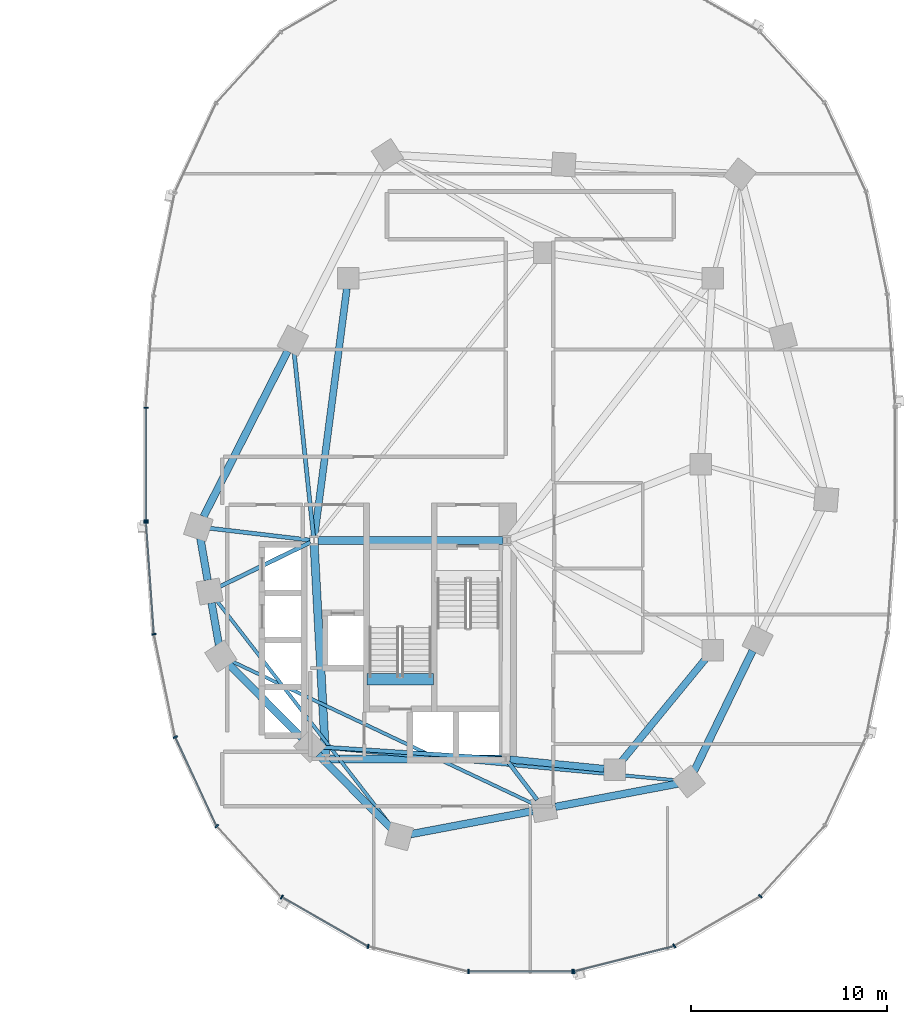
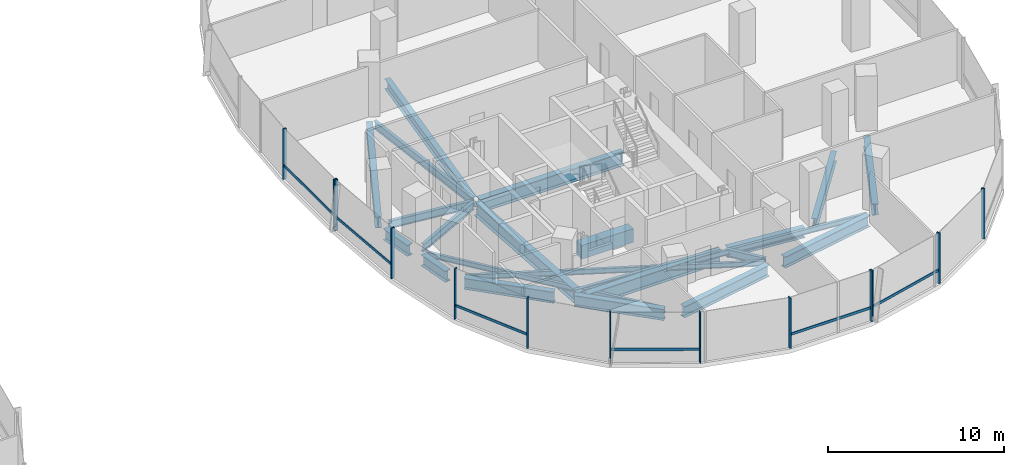
# One storey, part 5 of 21: 23 beams, 19 members, 3 elements without a shape of their own.
"""IFC4 building model written with IfcOpenShell, lengths in metres."""

from ifc_helpers import new_model, si_unit, direction, frame, origin, origin_2d, place, context, subcontext, project, spatial, rectangle, i_section, extrude, material, material_profile, profile_set, type_object, element, aggregate, save


model = new_model("IFC4")

# Units and contexts
model_context = context("Model", 3, precision=1e-05, world=origin(), true_north=direction((0.0, 1.0)))
body_context = subcontext(model_context, "Body", "Model", "MODEL_VIEW")
ifc_project = project(units=[si_unit("LENGTHUNIT", "METRE"), si_unit("AREAUNIT", "SQUARE_METRE"), si_unit("VOLUMEUNIT", "CUBIC_METRE"), si_unit("PLANEANGLEUNIT", "RADIAN"), si_unit("MASSUNIT", "GRAM", prefix="KILO"), si_unit("THERMODYNAMICTEMPERATUREUNIT", "KELVIN"), si_unit("POWERUNIT", "WATT")], contexts=[model_context])

# Site, building, storey
site_placement = place(None, origin())
site = spatial("IfcSite", under=ifc_project, at=site_placement, CompositionType="ELEMENT")
building_placement = place(site_placement, origin())
building = spatial("IfcBuilding", under=site, at=building_placement, Name="Cundina Bronze Exchange", CompositionType="ELEMENT")
storey_placement = place(building_placement, frame((0.0, 0.0, 62.0)))
storey = spatial("IfcBuildingStorey", under=building, at=storey_placement, Name="L15", CompositionType="ELEMENT", Elevation=62.0)

# Beams
ifc_material_1 = material(Name="Concrete C60/75", Category="concrete")
ifc_material_profile_1 = material_profile(ifc_material_1, rectangle(XDim=0.60009765625, YDim=0.949951171875, at=origin_2d()), Name="RC600X950", Category="concrete")
ifc_profile_set_1 = profile_set([ifc_material_profile_1], Name="Concrete C60/75")
beam_type_1 = type_object("IfcBeamType", Name="BM-COUP-RC950", PredefinedType="LINTEL", material=ifc_profile_set_1)
beam_1_placement = place(storey_placement, frame((24.159912109375, -10.97998046875, -0.47509765625), z_axis=(1.0, 0.0, 0.0), x_axis=(0.0, 1.0, 0.0)))
element("IfcBeam", 1, at=beam_1_placement, inside=storey, type_object=beam_type_1, Name="L15 Stair E2 Landing Header Beam", PredefinedType="LINTEL", context=body_context, shape_type="SweptSolid", body=[
    extrude(rectangle(XDim=0.60009765625, YDim=0.949951171875, at=origin_2d()), origin(), (0.0, 0.0, 1.0), 3.400146484375),
])
ifc_material_2 = material(Name="Steel ASTM A992 Grade 50", Category="steel")
ifc_material_profile_2 = material_profile(ifc_material_2, i_section(OverallWidth=0.2099609375, OverallDepth=0.532958984375, WebThickness=0.01025390625, FlangeThickness=0.015625, FilletRadius=0.013916015625, at=origin_2d()), Name="W21X62", Category="steel")
ifc_profile_set_2 = profile_set([ifc_material_profile_2], Name="Steel ASTM A992 Grade 50")
beam_type_2 = type_object("IfcBeamType", Name="BM-FLR-W21B", PredefinedType="BEAM", material=ifc_profile_set_2)
beam_2_placement = place(storey_placement, frame((21.247314453125, -3.8759765625, -0.56640625), z_axis=(-0.993035236117, 0.117817739878, 0.0), x_axis=(-0.117817739878, -0.993035236117, 0.0)))
element("IfcBeam", 2, at=beam_2_placement, inside=storey, type_object=beam_type_2, Name="L15 Leg E Chordal Floor Beam 00", PredefinedType="BEAM", context=body_context, shape_type="SweptSolid", body=[
    extrude(i_section(OverallWidth=0.2099609375, OverallDepth=0.532958984375, WebThickness=0.01025390625, FlangeThickness=0.015625, FilletRadius=0.013916015625, at=origin_2d()), origin(), (0.0, 0.0, 1.0), 5.1494140625),
])
beam_3_placement = place(storey_placement, frame((21.2666015625, -3.989501953125, -0.56640625), z_axis=(-0.898610249448, -0.438747785849, 0.0), x_axis=(0.438747785849, -0.898610249448, 0.0)))
element("IfcBeam", 3, at=beam_3_placement, inside=storey, type_object=beam_type_2, Name="L15 Leg E Chordal Floor Beam 01", PredefinedType="BEAM", context=body_context, shape_type="SweptSolid", body=[
    extrude(i_section(OverallWidth=0.2099609375, OverallDepth=0.532958984375, WebThickness=0.01025390625, FlangeThickness=0.015625, FilletRadius=0.013916015625, at=origin_2d()), origin(), (0.0, 0.0, 1.0), 5.1337890625),
])
beam_4_placement = place(storey_placement, frame((31.04638671875, -15.036865234375, -0.56640625), z_axis=(-0.99789233798, 0.064891307594, 0.0), x_axis=(-0.064891307594, -0.99789233798, 0.0)))
element("IfcBeam", 4, at=beam_4_placement, inside=storey, type_object=beam_type_2, Name="L15 Leg E Chordal Floor Beam 03", PredefinedType="BEAM", context=body_context, shape_type="SweptSolid", body=[
    extrude(i_section(OverallWidth=0.2099609375, OverallDepth=0.532958984375, WebThickness=0.01025390625, FlangeThickness=0.015625, FilletRadius=0.013916015625, at=origin_2d()), origin(), (0.0, 0.0, 1.0), 9.22900390625),
])
beam_5_placement = place(storey_placement, frame((31.373779296875, -15.2119140625, -0.56640625), z_axis=(0.607468844289, -0.794343504548, 0.0), x_axis=(0.794343504548, 0.607468844289, 0.0)))
element("IfcBeam", 5, at=beam_5_placement, inside=storey, type_object=beam_type_2, Name="L15 Leg E Chordal Floor Beam 05", PredefinedType="BEAM", context=body_context, shape_type="SweptSolid", body=[
    extrude(i_section(OverallWidth=0.2099609375, OverallDepth=0.532958984375, WebThickness=0.01025390625, FlangeThickness=0.015625, FilletRadius=0.013916015625, at=origin_2d()), origin(), (0.0, 0.0, 1.0), 2.418212890625),
])
beam_6_placement = place(storey_placement, frame((21.4287109375, -3.697021484375, -0.56640625), z_axis=(-0.10483517787, 0.994489610544, 0.0), x_axis=(-0.994489610544, -0.10483517787, 0.0)))
element("IfcBeam", 6, at=beam_6_placement, inside=storey, type_object=beam_type_2, Name="L15 Leg E Chordal Floor Beam 13", PredefinedType="BEAM", context=body_context, shape_type="SweptSolid", body=[
    extrude(i_section(OverallWidth=0.2099609375, OverallDepth=0.532958984375, WebThickness=0.01025390625, FlangeThickness=0.015625, FilletRadius=0.013916015625, at=origin_2d()), origin(), (0.0, 0.0, 1.0), 9.46435546875),
])
ifc_material_profile_3 = material_profile(ifc_material_2, i_section(OverallWidth=0.172119140625, OverallDepth=0.35791015625, WebThickness=0.0078125, FlangeThickness=0.01318359375, FilletRadius=0.010009765625, at=origin_2d()), Name="W14X38", Category="steel")
ifc_profile_set_3 = profile_set([ifc_material_profile_3], Name="Steel ASTM A992 Grade 50")
beam_type_3 = type_object("IfcBeamType", Name="BM-JST-W14", PredefinedType="JOIST", material=ifc_profile_set_3)
beam_7_placement = place(storey_placement, frame((16.48486328125, -6.965087890625, -0.47900390625), z_axis=(0.612089386305, -0.790788583108, 0.0), x_axis=(0.790788583108, 0.612089386305, 0.0)))
element("IfcBeam", 7, at=beam_7_placement, inside=storey, type_object=beam_type_3, Name="L15 Leg E Lobe Floor Joist 01-04", PredefinedType="JOIST", context=body_context, shape_type="SweptSolid", body=[
    extrude(i_section(OverallWidth=0.172119140625, OverallDepth=0.35791015625, WebThickness=0.0078125, FlangeThickness=0.01318359375, FilletRadius=0.010009765625, at=origin_2d()), origin(), (0.0, 0.0, 1.0), 14.630859375),
])
beam_8_placement = place(storey_placement, frame((17.231689453125, -10.05126953125, -0.47900390625), z_axis=(0.904072668297, -0.427378766949, 0.0), x_axis=(0.427378766949, 0.904072668297, 0.0)))
element("IfcBeam", 8, at=beam_8_placement, inside=storey, type_object=beam_type_3, Name="L15 Leg E Lobe Floor Joist 02-05", PredefinedType="JOIST", context=body_context, shape_type="SweptSolid", body=[
    extrude(i_section(OverallWidth=0.172119140625, OverallDepth=0.35791015625, WebThickness=0.0078125, FlangeThickness=0.01318359375, FilletRadius=0.010009765625, at=origin_2d()), origin(), (0.0, 0.0, 1.0), 17.07470703125),
])
beam_9_placement = place(storey_placement, frame((21.83544921875, -14.45458984375, -0.47900390625), z_axis=(0.995701961644, -0.09261535282, 0.0), x_axis=(0.09261535282, 0.995701961644, 0.0)))
element("IfcBeam", 9, at=beam_9_placement, inside=storey, type_object=beam_type_3, Name="L15 Leg E Lobe Floor Joist 03-06", PredefinedType="JOIST", context=body_context, shape_type="SweptSolid", body=[
    extrude(i_section(OverallWidth=0.172119140625, OverallDepth=0.35791015625, WebThickness=0.0078125, FlangeThickness=0.01318359375, FilletRadius=0.010009765625, at=origin_2d()), origin(), (0.0, 0.0, 1.0), 18.25732421875),
])
ifc_material_profile_4 = material_profile(ifc_material_2, i_section(OverallWidth=0.35498046875, OverallDepth=0.695068359375, WebThickness=0.015380859375, FlangeThickness=0.02490234375, FilletRadius=0.01806640625, at=origin_2d()), Name="W27X146", Category="steel")
ifc_profile_set_4 = profile_set([ifc_material_profile_4], Name="Steel ASTM A992 Grade 50")
beam_type_4 = type_object("IfcBeamType", Name="BM-RING-W27", PredefinedType="USERDEFINED", material=ifc_profile_set_4)
beam_10_placement = place(storey_placement, frame((31.452880859375, -15.070068359375, -0.6474609375), z_axis=(0.995126271817, -0.098608839051, 0.0), x_axis=(0.098608839051, 0.995126271817, 0.0)))
element("IfcBeam", 10, at=beam_10_placement, inside=storey, type_object=beam_type_4, Name="L15 E Inner Structural Ring Girder 01", ObjectType="GIRDER", PredefinedType="USERDEFINED", context=body_context, shape_type="SweptSolid", body=[
    extrude(i_section(OverallWidth=0.35498046875, OverallDepth=0.695068359375, WebThickness=0.015380859375, FlangeThickness=0.02490234375, FilletRadius=0.01806640625, at=origin_2d()), origin(), (0.0, 0.0, 1.0), 4.83544921875),
])
beam_11_placement = place(storey_placement, frame((37.14111328125, -15.183837890625, -0.6474609375), z_axis=(0.633926549035, 0.773393257295, 0.0), x_axis=(-0.773393257295, 0.633926549035, 0.0)))
element("IfcBeam", 11, at=beam_11_placement, inside=storey, type_object=beam_type_4, Name="L15 E Inner Structural Ring Girder 02", ObjectType="GIRDER", PredefinedType="USERDEFINED", context=body_context, shape_type="SweptSolid", body=[
    extrude(i_section(OverallWidth=0.35498046875, OverallDepth=0.695068359375, WebThickness=0.015380859375, FlangeThickness=0.02490234375, FilletRadius=0.01806640625, at=origin_2d()), origin(), (0.0, 0.0, 1.0), 6.811279296875),
])
beam_12_placement = place(storey_placement, frame((23.13037109375, 8.966552734375, -0.6474609375), z_axis=(-0.129507526533, -0.99157843894, 0.0), x_axis=(0.99157843894, -0.129507526533, 0.0)))
element("IfcBeam", 12, at=beam_12_placement, inside=storey, type_object=beam_type_4, Name="L15 E Inner Structural Ring Girder 07", ObjectType="GIRDER", PredefinedType="USERDEFINED", context=body_context, shape_type="SweptSolid", body=[
    extrude(i_section(OverallWidth=0.35498046875, OverallDepth=0.695068359375, WebThickness=0.015380859375, FlangeThickness=0.02490234375, FilletRadius=0.01806640625, at=origin_2d()), origin(), (0.0, 0.0, 1.0), 12.77197265625),
])
ifc_material_profile_5 = material_profile(ifc_material_2, i_section(OverallWidth=0.381103515625, OverallDepth=0.77294921875, WebThickness=0.0166015625, FlangeThickness=0.027099609375, FilletRadius=0.01904296875, at=origin_2d()), Name="W30X173", Category="steel")
ifc_profile_set_5 = profile_set([ifc_material_profile_5], Name="Steel ASTM A992 Grade 50")
beam_type_5 = type_object("IfcBeamType", Name="BM-RING-W30", PredefinedType="USERDEFINED", material=ifc_profile_set_5)
for number, where, z_axis, x_axis, name in (
    (13, (15.65087890625, -3.779296875, -0.6865234375), (0.171734584051, -0.985143254883, 0.0), (0.985143254883, 0.171734584051, 0.0), "L15 E Perimeter Ring Girder 00"),
    (14, (16.225830078125, -7.079345703125, -0.6865234375), (0.171734584051, -0.985143254883, 0.0), (0.985143254883, 0.171734584051, 0.0), "L15 E Perimeter Ring Girder 01"),
):
    element("IfcBeam", number, at=place(storey_placement, frame(where, z_axis=z_axis, x_axis=x_axis)), inside=storey, type_object=beam_type_5, Name=name, ObjectType="GIRDER", PredefinedType="USERDEFINED", context=body_context, shape_type="SweptSolid", body=[
        extrude(i_section(OverallWidth=0.381103515625, OverallDepth=0.77294921875, WebThickness=0.0166015625, FlangeThickness=0.027099609375, FilletRadius=0.01904296875, at=origin_2d()), origin(), (0.0, 0.0, 1.0), 2.173583984375),
    ])
for number, where, z_axis, x_axis, name in (
    (15, (17.113525390625, -10.218017578125, -0.6865234375), (0.703222428859, -0.710969911845, 0.0), (0.710969911845, 0.703222428859, 0.0), "L15 E Perimeter Ring Girder 02"),
    (16, (21.66357421875, -14.818115234375, -0.6865234375), (0.703222428859, -0.710969911845, 0.0), (0.710969911845, 0.703222428859, 0.0), "L15 E Perimeter Ring Girder 03"),
):
    element("IfcBeam", number, at=place(storey_placement, frame(where, z_axis=z_axis, x_axis=x_axis)), inside=storey, type_object=beam_type_5, Name=name, ObjectType="GIRDER", PredefinedType="USERDEFINED", context=body_context, shape_type="SweptSolid", body=[
        extrude(i_section(OverallWidth=0.381103515625, OverallDepth=0.77294921875, WebThickness=0.0166015625, FlangeThickness=0.027099609375, FilletRadius=0.01904296875, at=origin_2d()), origin(), (0.0, 0.0, 1.0), 5.2939453125),
    ])
beam_13_placement = place(storey_placement, frame((26.377685546875, -18.890625, -0.6865234375), z_axis=(0.982570814598, 0.185888661031, 0.0), x_axis=(-0.185888661031, 0.982570814598, 0.0)))
element("IfcBeam", 17, at=beam_13_placement, inside=storey, type_object=beam_type_5, Name="L15 E Perimeter Ring Girder 04", ObjectType="GIRDER", PredefinedType="USERDEFINED", context=body_context, shape_type="SweptSolid", body=[
    extrude(i_section(OverallWidth=0.381103515625, OverallDepth=0.77294921875, WebThickness=0.0166015625, FlangeThickness=0.027099609375, FilletRadius=0.01904296875, at=origin_2d()), origin(), (0.0, 0.0, 1.0), 6.35546875),
])
beam_14_placement = place(storey_placement, frame((33.77783203125, -17.49072265625, -0.6865234375), z_axis=(0.982569487119, 0.185895677686, 0.0), x_axis=(-0.185895677686, 0.982569487119, 0.0)))
element("IfcBeam", 18, at=beam_14_placement, inside=storey, type_object=beam_type_5, Name="L15 E Perimeter Ring Girder 05", ObjectType="GIRDER", PredefinedType="USERDEFINED", context=body_context, shape_type="SweptSolid", body=[
    extrude(i_section(OverallWidth=0.381103515625, OverallDepth=0.77294921875, WebThickness=0.0166015625, FlangeThickness=0.027099609375, FilletRadius=0.01904296875, at=origin_2d()), origin(), (0.0, 0.0, 1.0), 6.355224609375),
])
beam_15_placement = place(storey_placement, frame((40.857177734375, -15.671142578125, -0.6865234375), z_axis=(0.437190698904, 0.899368830231, 0.0), x_axis=(-0.899368830231, 0.437190698904, 0.0)))
element("IfcBeam", 19, at=beam_15_placement, inside=storey, type_object=beam_type_5, Name="L15 E Perimeter Ring Girder 06", ObjectType="GIRDER", PredefinedType="USERDEFINED", context=body_context, shape_type="SweptSolid", body=[
    extrude(i_section(OverallWidth=0.381103515625, OverallDepth=0.77294921875, WebThickness=0.0166015625, FlangeThickness=0.027099609375, FilletRadius=0.01904296875, at=origin_2d()), origin(), (0.0, 0.0, 1.0), 6.82958984375),
])
beam_16_placement = place(storey_placement, frame((20.108642578125, 5.775634765625, -0.6865234375), z_axis=(-0.452819633606, -0.891602141889, 0.0), x_axis=(0.891602141889, -0.452819633606, 0.0)))
element("IfcBeam", 20, at=beam_16_placement, inside=storey, type_object=beam_type_5, Name="L15 E Perimeter Ring Girder 13", ObjectType="GIRDER", PredefinedType="USERDEFINED", context=body_context, shape_type="SweptSolid", body=[
    extrude(i_section(OverallWidth=0.381103515625, OverallDepth=0.77294921875, WebThickness=0.0166015625, FlangeThickness=0.027099609375, FilletRadius=0.01904296875, at=origin_2d()), origin(), (0.0, 0.0, 1.0), 9.47900390625),
])
ifc_material_profile_6 = material_profile(ifc_material_2, i_section(OverallWidth=0.41796875, OverallDepth=0.927001953125, WebThickness=0.019287109375, FlangeThickness=0.031982421875, FilletRadius=0.02392578125, at=origin_2d()), Name="W36X231", Category="steel")
ifc_profile_set_6 = profile_set([ifc_material_profile_6], Name="Steel ASTM A992 Grade 50")
beam_type_6 = type_object("IfcBeamType", Name="BM-WRN-W36B", PredefinedType="USERDEFINED", material=ifc_profile_set_6)
beam_17_placement = place(storey_placement, frame((31.095947265625, -3.89990234375, -0.763427734375), z_axis=(-1.0, 0.0, 0.0), x_axis=(0.0, -1.0, 0.0)))
element("IfcBeam", 21, at=beam_17_placement, inside=storey, type_object=beam_type_6, Name="L15 E Core Perimeter Tie Girder 1", ObjectType="GIRDER", PredefinedType="USERDEFINED", context=body_context, shape_type="SweptSolid", body=[
    extrude(i_section(OverallWidth=0.41796875, OverallDepth=0.927001953125, WebThickness=0.019287109375, FlangeThickness=0.031982421875, FilletRadius=0.02392578125, at=origin_2d()), origin(), (0.0, 0.0, 1.0), 9.44189453125),
])
beam_18_placement = place(storey_placement, frame((21.4609375, -4.103759765625, -0.763427734375), z_axis=(0.053739193498, -0.998555005537, 0.0), x_axis=(0.998555005537, 0.053739193498, 0.0)))
element("IfcBeam", 22, at=beam_18_placement, inside=storey, type_object=beam_type_6, Name="L15 E Core Perimeter Tie Girder 2", ObjectType="GIRDER", PredefinedType="USERDEFINED", context=body_context, shape_type="SweptSolid", body=[
    extrude(i_section(OverallWidth=0.41796875, OverallDepth=0.927001953125, WebThickness=0.019287109375, FlangeThickness=0.031982421875, FilletRadius=0.02392578125, at=origin_2d()), origin(), (0.0, 0.0, 1.0), 10.758056640625),
])
beam_19_placement = place(storey_placement, frame((22.25390625, -15.050048828125, -0.763427734375), z_axis=(1.0, 0.0, 0.0), x_axis=(0.0, 1.0, 0.0)))
element("IfcBeam", 23, at=beam_19_placement, inside=storey, type_object=beam_type_6, Name="L15 E Core Perimeter Tie Girder 3", ObjectType="GIRDER", PredefinedType="USERDEFINED", context=body_context, shape_type="SweptSolid", body=[
    extrude(i_section(OverallWidth=0.41796875, OverallDepth=0.927001953125, WebThickness=0.019287109375, FlangeThickness=0.031982421875, FilletRadius=0.02392578125, at=origin_2d()), origin(), (0.0, 0.0, 1.0), 8.7919921875),
])

# Curtain wall, members
ifc_material_3 = material(Name="Anodised Bronze Aluminium 6063-T6", Category="aluminium")
curtain_wall_type = type_object("IfcCurtainWallType", Name="CWS-TRD-LOW", PredefinedType="NOTDEFINED", material=ifc_material_3)
curtain_wall_1_placement = place(storey_placement, origin())
curtain_wall_1 = element("IfcCurtainWall", 24, at=curtain_wall_1_placement, inside=storey, type_object=curtain_wall_type, Name="L15 CW-02 Curtain Wall Run CWR-L15-E2", PredefinedType="NOTDEFINED")
ifc_material_profile_7 = material_profile(ifc_material_3, rectangle(XDim=0.074951171875, YDim=0.219970703125, at=origin_2d()), Name="AL75X220", Category="aluminium")
ifc_profile_set_7 = profile_set([ifc_material_profile_7], Name="Anodised Bronze Aluminium 6063-T6")
member_type_1 = type_object("IfcMemberType", Name="CWM-MUL-220", PredefinedType="MULLION", material=ifc_profile_set_7)
member_1_placement = place(storey_placement, frame((12.8720703125, 2.880615234375, 0.0), z_axis=(0.0, 0.0, 1.0), x_axis=(0.0, -1.0, 0.0)))
member_1 = element("IfcMember", 25, at=member_1_placement, type_object=member_type_1, Name="CW-02 Mullion 7", PredefinedType="MULLION", context=body_context, shape_type="SweptSolid", body=[
    extrude(rectangle(XDim=0.074951171875, YDim=0.219970703125, at=origin_2d()), origin(), (0.0, 0.0, 1.0), 3.5),
])
member_2_placement = place(storey_placement, frame((12.8720703125, -2.880615234375, 0.0), z_axis=(0.0, 0.0, 1.0), x_axis=(0.0, -1.0, 0.0)))
member_2 = element("IfcMember", 26, at=member_2_placement, type_object=member_type_1, Name="CW-02 End Mullion", PredefinedType="MULLION", context=body_context, shape_type="SweptSolid", body=[
    extrude(rectangle(XDim=0.074951171875, YDim=0.219970703125, at=origin_2d()), origin(), (0.0, 0.0, 1.0), 3.5),
])

curtain_wall_2_placement = place(storey_placement, origin())
curtain_wall_2 = element("IfcCurtainWall", 27, at=curtain_wall_2_placement, inside=storey, type_object=curtain_wall_type, Name="L15 CW-02 Curtain Wall Run CWR-L15-E3", PredefinedType="NOTDEFINED")
member_3_placement = place(storey_placement, frame((12.87548828125, -2.976318359375, 0.0), z_axis=(0.0, 0.0, 1.0), x_axis=(0.070278787473, -0.997527389113, 0.0)))
member_3 = element("IfcMember", 28, at=member_3_placement, type_object=member_type_1, Name="CW-02 Mullion 1", PredefinedType="MULLION", context=body_context, shape_type="SweptSolid", body=[
    extrude(rectangle(XDim=0.074951171875, YDim=0.219970703125, at=origin_2d()), origin(), (0.0, 0.0, 1.0), 3.5),
])
member_4_placement = place(storey_placement, frame((13.282958984375, -8.67822265625, 0.0), z_axis=(0.0, 0.0, 1.0), x_axis=(0.201419845156, -0.979505000486, 0.0)))
member_4 = element("IfcMember", 29, at=member_4_placement, type_object=member_type_1, Name="CW-02 Mullion 2", PredefinedType="MULLION", context=body_context, shape_type="SweptSolid", body=[
    extrude(rectangle(XDim=0.074951171875, YDim=0.219970703125, at=origin_2d()), origin(), (0.0, 0.0, 1.0), 3.5),
])
member_5_placement = place(storey_placement, frame((14.3720703125, -13.931884765625, 0.0), z_axis=(0.0, 0.0, 1.0), x_axis=(0.42087749791, -0.907117485088, 0.0)))
member_5 = element("IfcMember", 30, at=member_5_placement, type_object=member_type_1, Name="CW-02 Mullion 3", PredefinedType="MULLION", context=body_context, shape_type="SweptSolid", body=[
    extrude(rectangle(XDim=0.074951171875, YDim=0.219970703125, at=origin_2d()), origin(), (0.0, 0.0, 1.0), 3.5),
])
member_6_placement = place(storey_placement, frame((16.491455078125, -18.47705078125, 0.0), z_axis=(0.0, 0.0, 1.0), x_axis=(0.674302387584, -0.738455340626, 0.0)))
member_6 = element("IfcMember", 31, at=member_6_placement, type_object=member_type_1, Name="CW-02 Mullion 4", PredefinedType="MULLION", context=body_context, shape_type="SweptSolid", body=[
    extrude(rectangle(XDim=0.074951171875, YDim=0.219970703125, at=origin_2d()), origin(), (0.0, 0.0, 1.0), 3.5),
])
member_7_placement = place(storey_placement, frame((19.810302734375, -22.097412109375, 0.0), z_axis=(0.0, 0.0, 1.0), x_axis=(0.867070701164, -0.498185105339, 0.0)))
member_7 = element("IfcMember", 32, at=member_7_placement, type_object=member_type_1, Name="CW-02 Mullion 5", PredefinedType="MULLION", context=body_context, shape_type="SweptSolid", body=[
    extrude(rectangle(XDim=0.074951171875, YDim=0.219970703125, at=origin_2d()), origin(), (0.0, 0.0, 1.0), 3.5),
])
member_8_placement = place(storey_placement, frame((24.21484375, -24.61669921875, 0.0), z_axis=(0.0, 0.0, 1.0), x_axis=(0.969488149345, -0.245138182011, 0.0)))
member_8 = element("IfcMember", 33, at=member_8_placement, type_object=member_type_1, Name="CW-02 Mullion 6", PredefinedType="MULLION", context=body_context, shape_type="SweptSolid", body=[
    extrude(rectangle(XDim=0.074951171875, YDim=0.219970703125, at=origin_2d()), origin(), (0.0, 0.0, 1.0), 3.5),
])
member_9_placement = place(storey_placement, frame((29.345458984375, -25.905029296875, 0.0), z_axis=(0.0, 0.0, 1.0), x_axis=(1.0, 0.0, 0.0)))
member_9 = element("IfcMember", 34, at=member_9_placement, type_object=member_type_1, Name="CW-02 Mullion 7", PredefinedType="MULLION", context=body_context, shape_type="SweptSolid", body=[
    extrude(rectangle(XDim=0.074951171875, YDim=0.219970703125, at=origin_2d()), origin(), (0.0, 0.0, 1.0), 3.5),
])
member_10_placement = place(storey_placement, frame((34.654541015625, -25.905029296875, 0.0), z_axis=(0.0, 0.0, 1.0), x_axis=(1.0, 0.0, 0.0)))
member_10 = element("IfcMember", 35, at=member_10_placement, type_object=member_type_1, Name="CW-02 End Mullion", PredefinedType="MULLION", context=body_context, shape_type="SweptSolid", body=[
    extrude(rectangle(XDim=0.074951171875, YDim=0.219970703125, at=origin_2d()), origin(), (0.0, 0.0, 1.0), 3.5),
])

curtain_wall_3_placement = place(storey_placement, origin())
curtain_wall_3 = element("IfcCurtainWall", 36, at=curtain_wall_3_placement, inside=storey, type_object=curtain_wall_type, Name="L15 CW-02 Curtain Wall Run CWR-L15-E4", PredefinedType="NOTDEFINED")
member_11_placement = place(storey_placement, frame((34.72607421875, -25.89599609375, 0.0), z_axis=(0.0, 0.0, 1.0), x_axis=(0.969488149345, 0.245138182011, 0.0)))
member_11 = element("IfcMember", 37, at=member_11_placement, type_object=member_type_1, Name="CW-02 Mullion 1", PredefinedType="MULLION", context=body_context, shape_type="SweptSolid", body=[
    extrude(rectangle(XDim=0.074951171875, YDim=0.219970703125, at=origin_2d()), origin(), (0.0, 0.0, 1.0), 3.5),
])
member_12_placement = place(storey_placement, frame((39.848876953125, -24.591064453125, 0.0), z_axis=(0.0, 0.0, 1.0), x_axis=(0.867070701164, 0.498185105339, 0.0)))
member_12 = element("IfcMember", 38, at=member_12_placement, type_object=member_type_1, Name="CW-02 Mullion 2", PredefinedType="MULLION", context=body_context, shape_type="SweptSolid", body=[
    extrude(rectangle(XDim=0.074951171875, YDim=0.219970703125, at=origin_2d()), origin(), (0.0, 0.0, 1.0), 3.5),
])
member_13_placement = place(storey_placement, frame((44.239501953125, -22.0576171875, 0.0), z_axis=(0.0, 0.0, 1.0), x_axis=(0.674302387584, 0.738455340626, 0.0)))
member_13 = element("IfcMember", 39, at=member_13_placement, type_object=member_type_1, Name="CW-02 Mullion 3", PredefinedType="MULLION", context=body_context, shape_type="SweptSolid", body=[
    extrude(rectangle(XDim=0.074951171875, YDim=0.219970703125, at=origin_2d()), origin(), (0.0, 0.0, 1.0), 3.5),
])

# Member
ifc_material_profile_8 = material_profile(ifc_material_3, rectangle(XDim=0.070068359375, YDim=0.179931640625, at=origin_2d()), Name="AL70X180", Category="aluminium")
ifc_profile_set_8 = profile_set([ifc_material_profile_8], Name="Anodised Bronze Aluminium 6063-T6")
member_type_2 = type_object("IfcMemberType", Name="CWM-TRN-180", PredefinedType="USERDEFINED", material=ifc_profile_set_8)
member_14_placement = place(storey_placement, frame((12.8720703125, 2.839111328125, 0.919921875), z_axis=(0.0, -1.0, 0.0), x_axis=(1.0, 0.0, 0.0)))
member_14 = element("IfcMember", 40, at=member_14_placement, type_object=member_type_2, Name="CW-02 Spandrel Transom 7", ObjectType="TRANSOM", PredefinedType="USERDEFINED", context=body_context, shape_type="SweptSolid", body=[
    extrude(rectangle(XDim=0.070068359375, YDim=0.179931640625, at=origin_2d()), origin(), (0.0, 0.0, 1.0), 5.67822265625),
])

aggregate(curtain_wall_1, [member_1, member_2, member_14])

member_15_placement = place(storey_placement, frame((12.87841796875, -3.017333984375, 0.919921875), z_axis=(0.070260714471, -0.997528662246, 0.0), x_axis=(0.997528662246, 0.070260714471, 0.0)))
member_15 = element("IfcMember", 41, at=member_15_placement, type_object=member_type_2, Name="CW-02 Spandrel Transom 1", ObjectType="TRANSOM", PredefinedType="USERDEFINED", context=body_context, shape_type="SweptSolid", body=[
    extrude(rectangle(XDim=0.070068359375, YDim=0.179931640625, at=origin_2d()), origin(), (0.0, 0.0, 1.0), 5.629150390625),
])

member_16_placement = place(storey_placement, frame((14.389404296875, -13.96923828125, 0.919921875), z_axis=(0.420811422796, -0.907148139195, 0.0), x_axis=(0.907148139195, 0.420811422796, 0.0)))
member_16 = element("IfcMember", 42, at=member_16_placement, type_object=member_type_2, Name="CW-02 Spandrel Transom 3", ObjectType="TRANSOM", PredefinedType="USERDEFINED", context=body_context, shape_type="SweptSolid", body=[
    extrude(rectangle(XDim=0.070068359375, YDim=0.179931640625, at=origin_2d()), origin(), (0.0, 0.0, 1.0), 4.95166015625),
])

member_17_placement = place(storey_placement, frame((19.845947265625, -22.117919921875, 0.919921875), z_axis=(0.867097475651, -0.498138502546, 0.0), x_axis=(0.498138502546, 0.867097475651, 0.0)))
member_17 = element("IfcMember", 43, at=member_17_placement, type_object=member_type_2, Name="CW-02 Spandrel Transom 5", ObjectType="TRANSOM", PredefinedType="USERDEFINED", context=body_context, shape_type="SweptSolid", body=[
    extrude(rectangle(XDim=0.070068359375, YDim=0.179931640625, at=origin_2d()), origin(), (0.0, 0.0, 1.0), 5.00634765625),
])

member_18_placement = place(storey_placement, frame((29.38671875, -25.905029296875, 0.919921875), z_axis=(1.0, 0.0, 0.0), x_axis=(0.0, 1.0, 0.0)))
member_18 = element("IfcMember", 44, at=member_18_placement, type_object=member_type_2, Name="CW-02 Spandrel Transom 7", ObjectType="TRANSOM", PredefinedType="USERDEFINED", context=body_context, shape_type="SweptSolid", body=[
    extrude(rectangle(XDim=0.070068359375, YDim=0.179931640625, at=origin_2d()), origin(), (0.0, 0.0, 1.0), 5.2265625),
])

aggregate(curtain_wall_2, [member_3, member_15, member_4, member_5, member_16, member_6, member_7, member_17, member_8, member_9, member_10, member_18])

member_19_placement = place(storey_placement, frame((34.76611328125, -25.885986328125, 0.919921875), z_axis=(0.969483968866, 0.245154714644, 0.0), x_axis=(-0.245154714644, 0.969483968866, 0.0)))
member_19 = element("IfcMember", 45, at=member_19_placement, type_object=member_type_2, Name="CW-02 Spandrel Transom 1", ObjectType="TRANSOM", PredefinedType="USERDEFINED", context=body_context, shape_type="SweptSolid", body=[
    extrude(rectangle(XDim=0.070068359375, YDim=0.179931640625, at=origin_2d()), origin(), (0.0, 0.0, 1.0), 5.21826171875),
])

aggregate(curtain_wall_3, [member_11, member_19, member_12, member_13])

save(model, "model.ifc")
